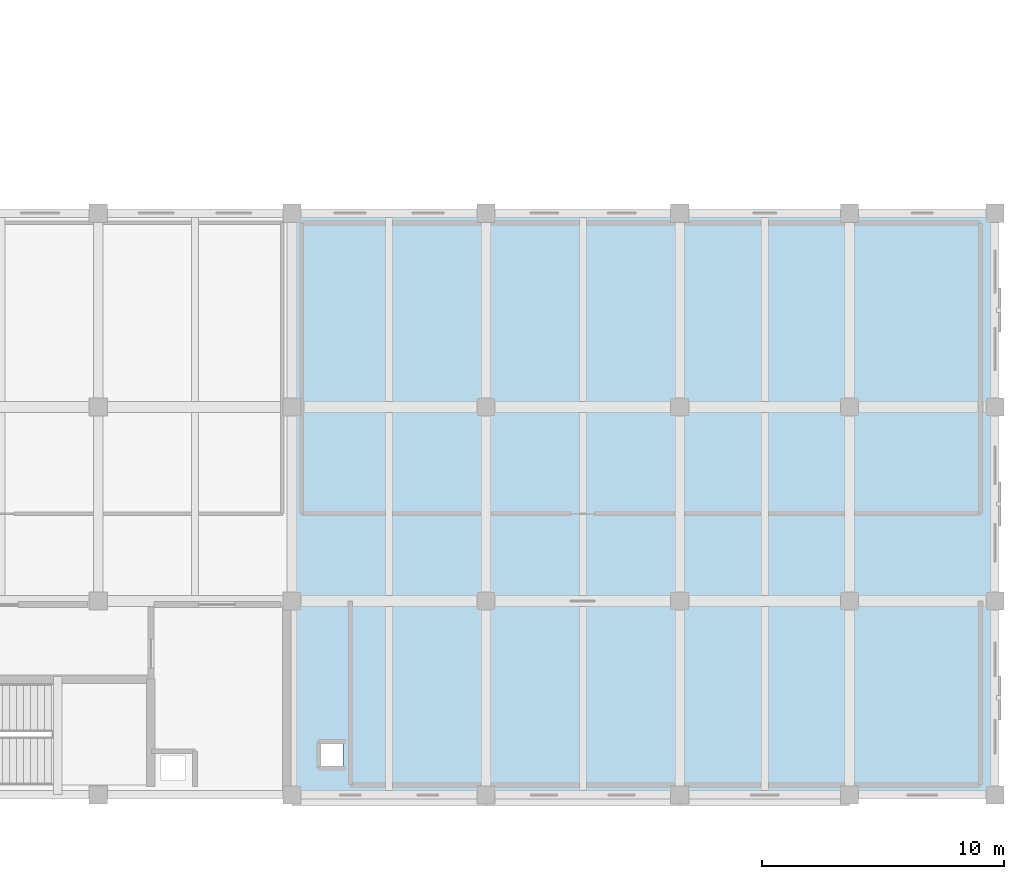
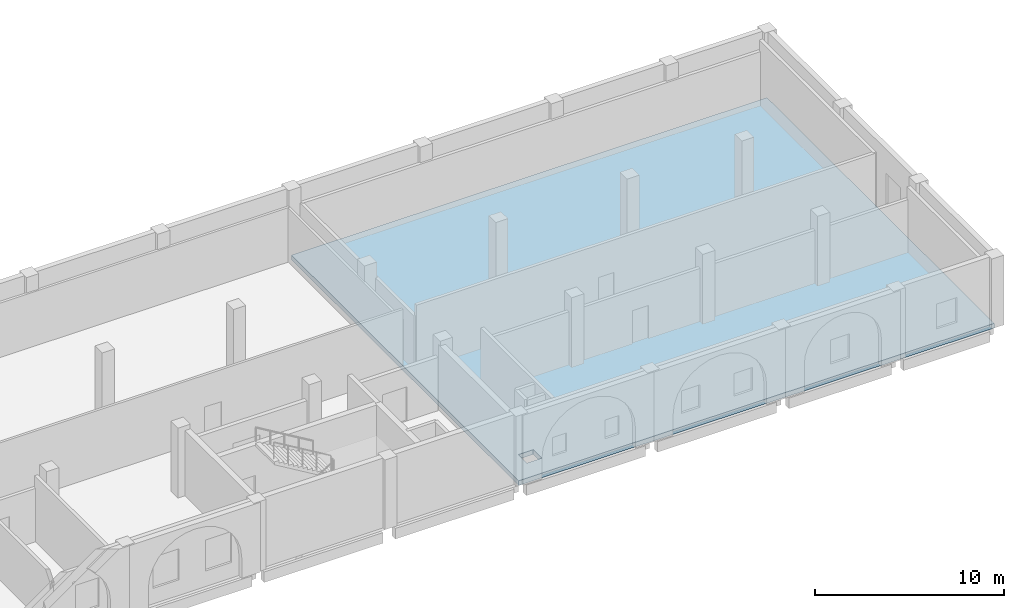
# One storey, part 25 of 53: 1 slab.
"""IFC4 building model written with IfcOpenShell, lengths in metres."""

from ifc_helpers import new_model, si_unit, direction, frame, origin, place, context, subcontext, project, spatial, polyline, outline, extrude, material, layer, layer_set, type_object, element, save


model = new_model("IFC4")

# Units and contexts
model_context = context("Model", 3, precision=1e-05, world=origin(), true_north=direction((0.0, 1.0)))
body_context = subcontext(model_context, "Body", "Model", "MODEL_VIEW")
ifc_project = project(units=[si_unit("LENGTHUNIT", "METRE"), si_unit("AREAUNIT", "SQUARE_METRE"), si_unit("VOLUMEUNIT", "CUBIC_METRE"), si_unit("PLANEANGLEUNIT", "RADIAN"), si_unit("MASSUNIT", "GRAM", prefix="KILO")], contexts=[model_context])

# Site, building, storey
site_placement = place(None, origin())
site = spatial("IfcSite", under=ifc_project, at=site_placement, CompositionType="ELEMENT")
building_placement = place(site_placement, origin())
building = spatial("IfcBuilding", under=site, at=building_placement, Name="Qorikala Patio Media Centre", CompositionType="ELEMENT")
storey_placement = place(building_placement, frame((0.0, 0.0, 5.39990234375)))
storey = spatial("IfcBuildingStorey", under=building, at=storey_placement, Name="L01", CompositionType="ELEMENT", Elevation=5.39990234375)

# Slab
ifc_material = material(Name="Concrete C35/45", Category="concrete")
ifc_layer = layer(ifc_material, 0.300048828125)
ifc_layer_set = layer_set([ifc_layer], Name="Concrete C35/45")
slab_type = type_object("IfcSlabType", Name="SL-FLOOR-300", PredefinedType="FLOOR", material=ifc_layer_set)
slab_placement = place(storey_placement, frame((0.0, 0.0, -0.2998046875)))
element("IfcSlab", 1, at=slab_placement, inside=storey, type_object=slab_type, Name="L01 V7B Slab 12.1", PredefinedType="FLOOR", context=body_context, shape_type="SweptSolid", body=[
    extrude(outline(polyline([(167.0, 3.0), (138.0, 3.0), (138.0, 27.0), (167.0, 27.0), (167.0, 3.0)]), holes=[polyline([(139.199951171875, 4.199951171875), (140.10009765625, 4.199951171875), (140.10009765625, 5.10009765625), (139.199951171875, 5.10009765625), (139.199951171875, 4.199951171875)])]), origin(), (0.0, 0.0, 1.0), 0.2998046875),
])

save(model, "model.ifc")
